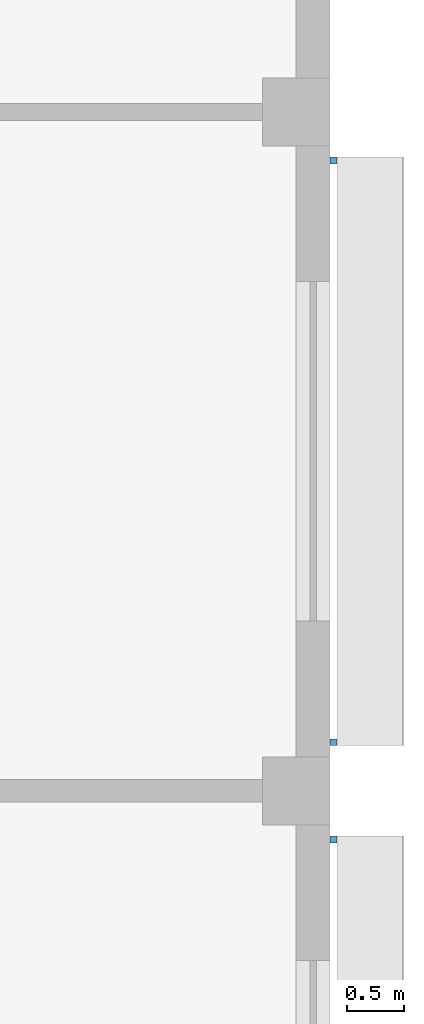
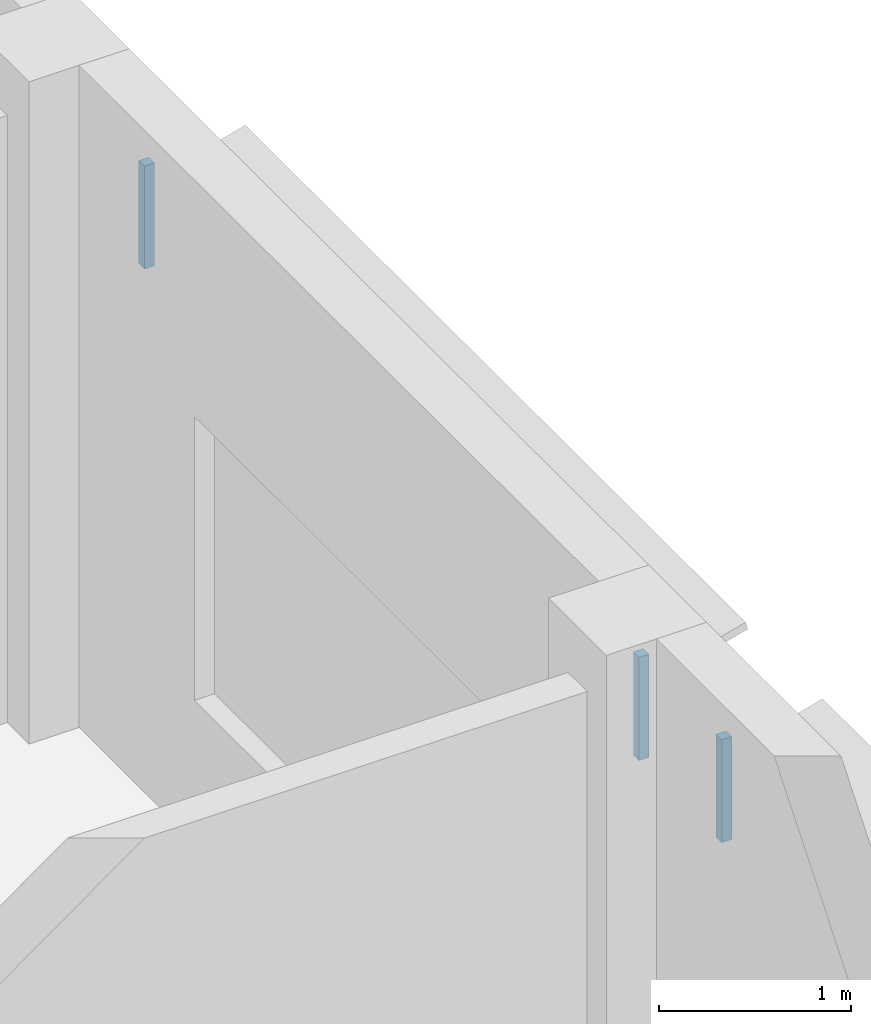
# One storey, part 34 of 45: 3 discrete accessories.
"""IFC4 building model written with IfcOpenShell, lengths in metres."""

from ifc_helpers import new_model, si_unit, direction, frame, origin, origin_2d, place, context, subcontext, project, spatial, rectangle, extrude, material, type_object, element, save


model = new_model("IFC4")

# Units and contexts
model_context = context("Model", 3, precision=1e-05, world=origin(), true_north=direction((0.0, 1.0)))
body_context = subcontext(model_context, "Body", "Model", "MODEL_VIEW")
ifc_project = project(units=[si_unit("LENGTHUNIT", "METRE"), si_unit("AREAUNIT", "SQUARE_METRE"), si_unit("VOLUMEUNIT", "CUBIC_METRE"), si_unit("PLANEANGLEUNIT", "RADIAN"), si_unit("MASSUNIT", "GRAM", prefix="KILO")], contexts=[model_context])

# Site, building, storey
site_placement = place(None, origin())
site = spatial("IfcSite", under=ifc_project, at=site_placement, CompositionType="ELEMENT")
building_placement = place(site_placement, origin())
building = spatial("IfcBuilding", under=site, at=building_placement, Name="Nakaniwa Court", CompositionType="ELEMENT")
storey_placement = place(building_placement, frame((0.0, 0.0, 11.39990234375)))
storey = spatial("IfcBuildingStorey", under=building, at=storey_placement, Name="L02", CompositionType="ELEMENT", Elevation=11.39990234375)

# Discrete accessories
ifc_material = material(Name="Black powder-coated steel bracket S275", Category="steel")
discrete_accessory_type = type_object("IfcDiscreteAccessoryType", Name="Hall black metal louvre bracket", PredefinedType="BRACKET", material=ifc_material)
for number, where, z_axis, x_axis, name in (
    (1, (218.030029296875, 85.570068359375, 2.8984375), (0.0, 0.0, 1.0), (0.0, -1.0, 0.0), "Louvre bracket L02 025.1"),
    (2, (218.030029296875, 80.429931640625, 2.8984375), (0.0, 0.0, 1.0), (0.0, -1.0, 0.0), "Louvre bracket L02 025.2"),
    (3, (218.030029296875, 79.570068359375, 2.8984375), (0.0, 0.0, 1.0), (0.0, -1.0, 0.0), "Louvre bracket L02 026.1"),
):
    element("IfcDiscreteAccessory", number, at=place(storey_placement, frame(where, z_axis=z_axis, x_axis=x_axis)), inside=storey, type_object=discrete_accessory_type, Name=name, PredefinedType="BRACKET", context=body_context, shape_type="SweptSolid", body=[
        extrude(rectangle(XDim=0.06005859375, YDim=0.06005859375, at=origin_2d()), origin(), (0.0, 0.0, 1.0), 0.653564453125),
    ])

save(model, "model.ifc")
